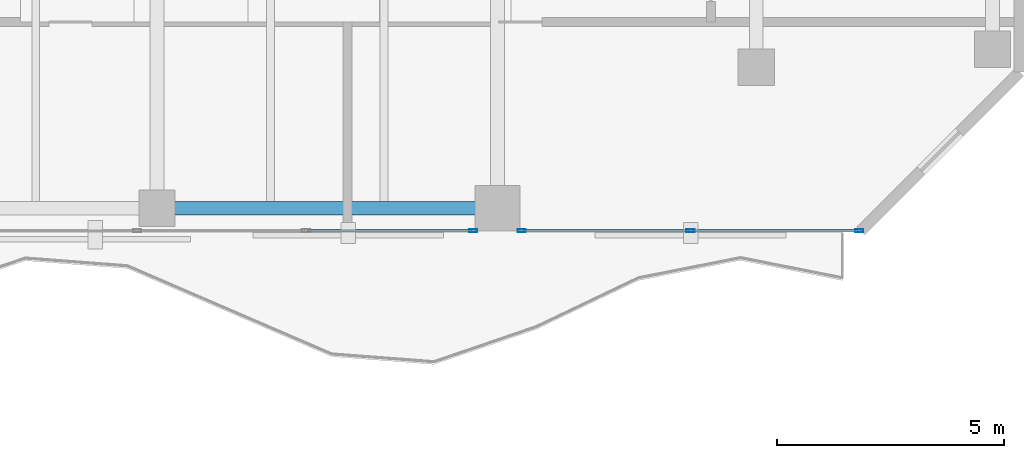
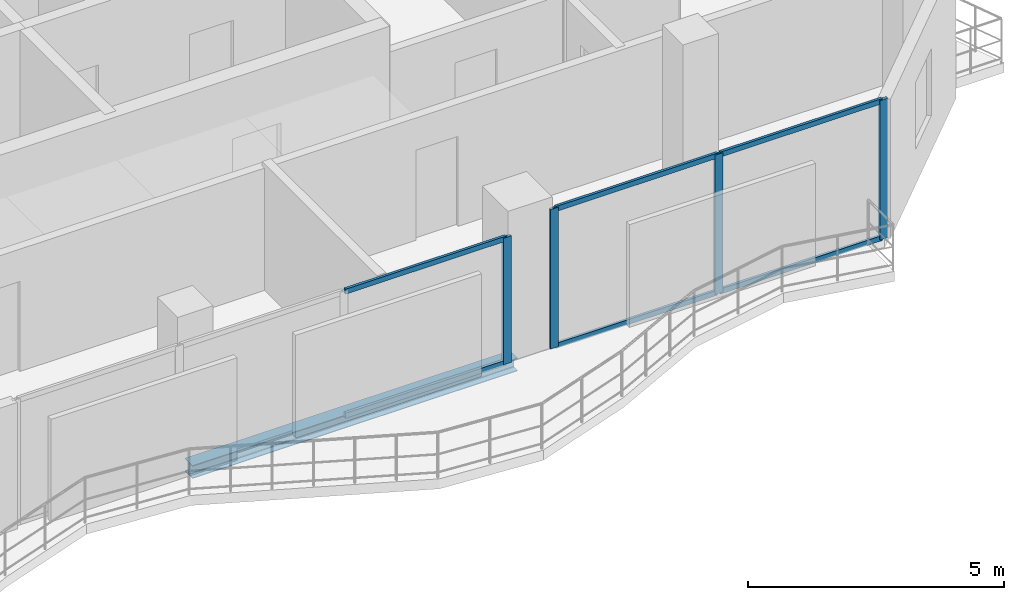
# One storey, part 12 of 23: 10 members, 1 beam, 2 elements without a shape of their own.
"""IFC4 building model written with IfcOpenShell, lengths in metres."""

from ifc_helpers import new_model, si_unit, direction, frame, origin, origin_2d, place, context, subcontext, project, spatial, hollow_rectangle, i_section, extrude, material, layer, layer_set, material_profile, profile_set, type_object, element, aggregate, save


model = new_model("IFC4")

# Units and contexts
model_context = context("Model", 3, precision=1e-05, world=origin(), true_north=direction((0.0, 1.0)))
body_context = subcontext(model_context, "Body", "Model", "MODEL_VIEW")
ifc_project = project(units=[si_unit("LENGTHUNIT", "METRE"), si_unit("AREAUNIT", "SQUARE_METRE"), si_unit("VOLUMEUNIT", "CUBIC_METRE"), si_unit("PLANEANGLEUNIT", "RADIAN"), si_unit("MASSUNIT", "GRAM", prefix="KILO")], contexts=[model_context])

# Site, building, storey
site_placement = place(None, origin())
site = spatial("IfcSite", under=ifc_project, at=site_placement, CompositionType="ELEMENT")
building_placement = place(site_placement, origin())
building = spatial("IfcBuilding", under=site, at=building_placement, Name="Catumbela Crestline Tower", CompositionType="ELEMENT")
storey_placement = place(building_placement, frame((0.0, 0.0, 168.6)))
storey = spatial("IfcBuildingStorey", under=building, at=storey_placement, Name="L43", CompositionType="ELEMENT", Elevation=168.6)

# Curtain wall, member
ifc_material_1 = material(Name="Aluminium alloy AW-6060-T66", Category="aluminium")
ifc_layer = layer(ifc_material_1, 0.18, Name="Aluminium alloy AW-6060-T66")
ifc_layer_set = layer_set([ifc_layer], Name="Aluminium alloy AW-6060-T66")
curtain_wall_type = type_object("IfcCurtainWallType", Name="CWU-Z3", PredefinedType="USERDEFINED", material=ifc_layer_set)
curtain_wall_1_placement = place(storey_placement, origin())
curtain_wall_1 = element("IfcCurtainWall", 1, at=curtain_wall_1_placement, inside=storey, type_object=curtain_wall_type, Name="L43 Unitised Curtain Wall CW-L43-E3S2", ObjectType="UNITISED", PredefinedType="USERDEFINED")
ifc_material_profile_1 = material_profile(ifc_material_1, hollow_rectangle(XDim=0.065, YDim=0.18, WallThickness=0.004, at=origin_2d()), Name="ALU 180x65x4")
ifc_profile_set_1 = profile_set([ifc_material_profile_1], Name="Aluminium alloy AW-6060-T66")
member_type_1 = type_object("IfcMemberType", Name="MUL-180X65", PredefinedType="MULLION", material=ifc_profile_set_1)
member_1_placement = place(storey_placement, frame((38.9675, 24.0, 0.0), z_axis=(0.0, 0.0, 1.0), x_axis=(0.0, 1.0, 0.0)))
member_1 = element("IfcMember", 2, at=member_1_placement, type_object=member_type_1, Name="CWU-Z3 mullion 4", PredefinedType="MULLION", context=body_context, shape_type="SweptSolid", body=[
    extrude(hollow_rectangle(XDim=0.065, YDim=0.18, WallThickness=0.004, at=origin_2d()), origin(), (0.0, 0.0, 1.0), 3.02),
])

# Curtain wall, members
curtain_wall_2_placement = place(storey_placement, origin())
curtain_wall_2 = element("IfcCurtainWall", 3, at=curtain_wall_2_placement, inside=storey, type_object=curtain_wall_type, Name="L43 Unitised Curtain Wall CW-L43-E3S3", ObjectType="UNITISED", PredefinedType="USERDEFINED")
member_2_placement = place(storey_placement, frame((40.0325, 24.0, 0.0), z_axis=(0.0, 0.0, 1.0), x_axis=(0.0, 1.0, 0.0)))
member_2 = element("IfcMember", 4, at=member_2_placement, type_object=member_type_1, Name="CWU-Z3 mullion 1", PredefinedType="MULLION", context=body_context, shape_type="SweptSolid", body=[
    extrude(hollow_rectangle(XDim=0.065, YDim=0.18, WallThickness=0.004, at=origin_2d()), origin(), (0.0, 0.0, 1.0), 3.33),
])
member_3_placement = place(storey_placement, frame((43.75, 24.0, 0.0), z_axis=(0.0, 0.0, 1.0), x_axis=(0.0, 1.0, 0.0)))
member_3 = element("IfcMember", 5, at=member_3_placement, type_object=member_type_1, Name="CWU-Z3 mullion 2", PredefinedType="MULLION", context=body_context, shape_type="SweptSolid", body=[
    extrude(hollow_rectangle(XDim=0.065, YDim=0.18, WallThickness=0.004, at=origin_2d()), origin(), (0.0, 0.0, 1.0), 3.33),
])
member_4_placement = place(storey_placement, frame((47.4675, 24.0, 0.0), z_axis=(0.0, 0.0, 1.0), x_axis=(0.0, 1.0, 0.0)))
member_4 = element("IfcMember", 6, at=member_4_placement, type_object=member_type_1, Name="CWU-Z3 mullion 3", PredefinedType="MULLION", context=body_context, shape_type="SweptSolid", body=[
    extrude(hollow_rectangle(XDim=0.065, YDim=0.18, WallThickness=0.004, at=origin_2d()), origin(), (0.0, 0.0, 1.0), 3.33),
])

# Beam
ifc_material_2 = material(Name="Structural steel S355J2", Category="steel")
ifc_material_profile_2 = material_profile(ifc_material_2, i_section(OverallWidth=0.3, OverallDepth=0.31, WebThickness=0.009, FlangeThickness=0.0155, FilletRadius=0.027, at=origin_2d()), Name="HEA 320")
ifc_profile_set_2 = profile_set([ifc_material_profile_2], Name="Structural steel S355J2")
beam_type = type_object("IfcBeamType", Name="BS-HEA320", PredefinedType="SPANDREL", material=ifc_profile_set_2)
beam_placement = place(storey_placement, frame((32.08, 24.5, -0.415), z_axis=(1.0, 0.0, 0.0), x_axis=(0.0, 1.0, 0.0)))
element("IfcBeam", 7, at=beam_placement, inside=storey, type_object=beam_type, Name="L43 Spandrel SP-L43-S05", PredefinedType="SPANDREL", context=body_context, shape_type="SweptSolid", body=[
    extrude(i_section(OverallWidth=0.3, OverallDepth=0.31, WebThickness=0.009, FlangeThickness=0.0155, FilletRadius=0.027, at=origin_2d()), origin(), (0.0, 0.0, 1.0), 7.34),
])

# Member
ifc_material_profile_3 = material_profile(ifc_material_1, hollow_rectangle(XDim=0.06, YDim=0.12, WallThickness=0.0035, at=origin_2d()), Name="ALU 120x60x3.5")
ifc_profile_set_3 = profile_set([ifc_material_profile_3], Name="Aluminium alloy AW-6060-T66")
member_type_2 = type_object("IfcMemberType", Name="TRN-120X60", PredefinedType="USERDEFINED", material=ifc_profile_set_3)
member_5_placement = place(storey_placement, frame((35.3158, 24.0, 0.03), z_axis=(1.0, 0.0, 0.0), x_axis=(0.0, 1.0, 0.0)))
member_5 = element("IfcMember", 8, at=member_5_placement, type_object=member_type_2, Name="CWU-Z3 transom 3.1", ObjectType="TRANSOM", PredefinedType="USERDEFINED", context=body_context, shape_type="SweptSolid", body=[
    extrude(hollow_rectangle(XDim=0.06, YDim=0.12, WallThickness=0.0035, at=origin_2d()), origin(), (0.0, 0.0, 1.0), 3.6192),
])

member_6_placement = place(storey_placement, frame((35.3158, 24.0, 2.99), z_axis=(1.0, 0.0, 0.0), x_axis=(0.0, 1.0, 0.0)))
member_6 = element("IfcMember", 9, at=member_6_placement, type_object=member_type_2, Name="CWU-Z3 transom 3.2", ObjectType="TRANSOM", PredefinedType="USERDEFINED", context=body_context, shape_type="SweptSolid", body=[
    extrude(hollow_rectangle(XDim=0.06, YDim=0.12, WallThickness=0.0035, at=origin_2d()), origin(), (0.0, 0.0, 1.0), 3.6192),
])

aggregate(curtain_wall_1, [member_1, member_5, member_6])

member_7_placement = place(storey_placement, frame((40.065, 24.0, 0.03), z_axis=(1.0, 0.0, 0.0), x_axis=(0.0, 1.0, 0.0)))
member_7 = element("IfcMember", 10, at=member_7_placement, type_object=member_type_2, Name="CWU-Z3 transom 1.1", ObjectType="TRANSOM", PredefinedType="USERDEFINED", context=body_context, shape_type="SweptSolid", body=[
    extrude(hollow_rectangle(XDim=0.06, YDim=0.12, WallThickness=0.0035, at=origin_2d()), origin(), (0.0, 0.0, 1.0), 3.6525),
])

member_8_placement = place(storey_placement, frame((40.065, 24.0, 3.3), z_axis=(1.0, 0.0, 0.0), x_axis=(0.0, 1.0, 0.0)))
member_8 = element("IfcMember", 11, at=member_8_placement, type_object=member_type_2, Name="CWU-Z3 transom 1.2", ObjectType="TRANSOM", PredefinedType="USERDEFINED", context=body_context, shape_type="SweptSolid", body=[
    extrude(hollow_rectangle(XDim=0.06, YDim=0.12, WallThickness=0.0035, at=origin_2d()), origin(), (0.0, 0.0, 1.0), 3.6525),
])

member_9_placement = place(storey_placement, frame((43.7825, 24.0, 0.03), z_axis=(1.0, 0.0, 0.0), x_axis=(0.0, 1.0, 0.0)))
member_9 = element("IfcMember", 12, at=member_9_placement, type_object=member_type_2, Name="CWU-Z3 transom 2.1", ObjectType="TRANSOM", PredefinedType="USERDEFINED", context=body_context, shape_type="SweptSolid", body=[
    extrude(hollow_rectangle(XDim=0.06, YDim=0.12, WallThickness=0.0035, at=origin_2d()), origin(), (0.0, 0.0, 1.0), 3.6525),
])

member_10_placement = place(storey_placement, frame((43.7825, 24.0, 3.3), z_axis=(1.0, 0.0, 0.0), x_axis=(0.0, 1.0, 0.0)))
member_10 = element("IfcMember", 13, at=member_10_placement, type_object=member_type_2, Name="CWU-Z3 transom 2.2", ObjectType="TRANSOM", PredefinedType="USERDEFINED", context=body_context, shape_type="SweptSolid", body=[
    extrude(hollow_rectangle(XDim=0.06, YDim=0.12, WallThickness=0.0035, at=origin_2d()), origin(), (0.0, 0.0, 1.0), 3.6525),
])

aggregate(curtain_wall_2, [member_2, member_3, member_4, member_7, member_8, member_9, member_10])

save(model, "model.ifc")
